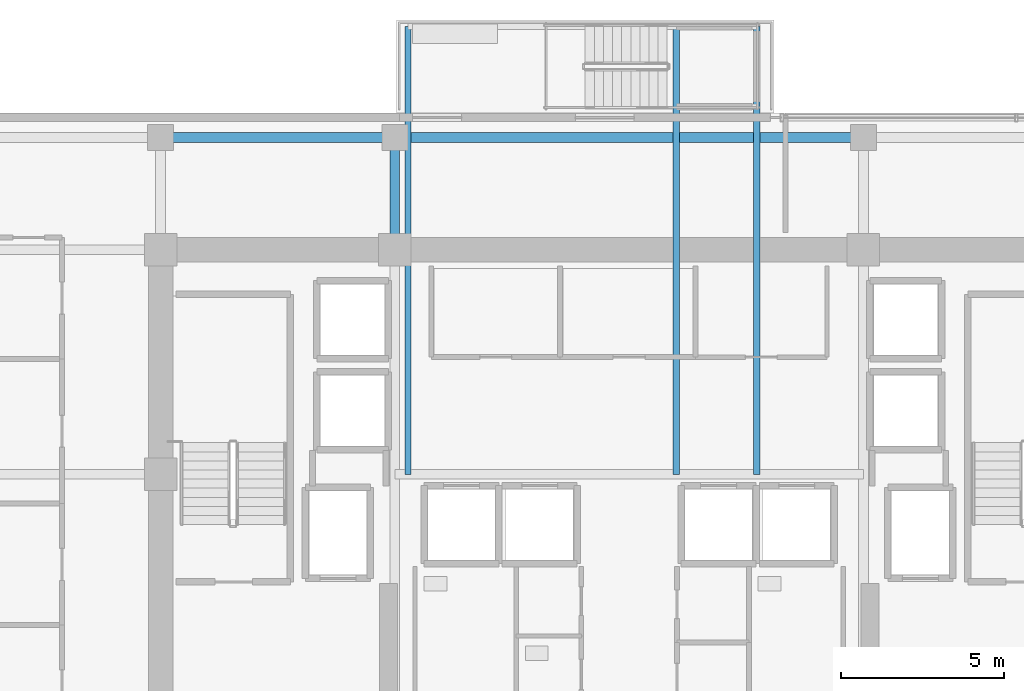
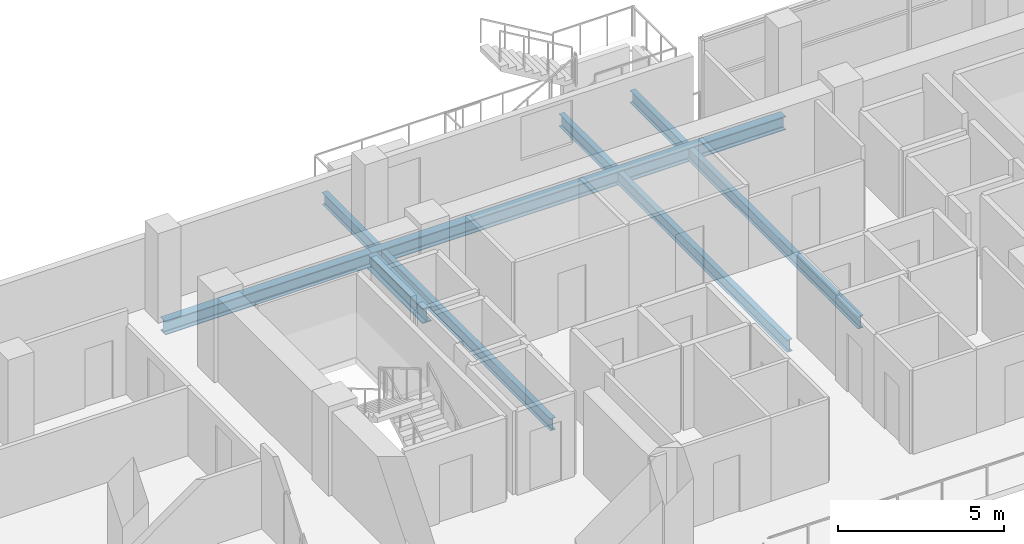
# One storey, part 13 of 27: 6 beams.
"""IFC4 building model written with IfcOpenShell, lengths in metres."""

from ifc_helpers import new_model, si_unit, direction, frame, origin, origin_2d, place, context, subcontext, project, spatial, i_section, extrude, material, material_profile, profile_set, type_object, element, save


model = new_model("IFC4")

# Units and contexts
model_context = context("Model", 3, precision=1e-05, world=origin(), true_north=direction((0.0, 1.0)))
body_context = subcontext(model_context, "Body", "Model", "MODEL_VIEW")
ifc_project = project(units=[si_unit("LENGTHUNIT", "METRE"), si_unit("AREAUNIT", "SQUARE_METRE"), si_unit("VOLUMEUNIT", "CUBIC_METRE"), si_unit("PLANEANGLEUNIT", "RADIAN"), si_unit("MASSUNIT", "GRAM", prefix="KILO")], contexts=[model_context])

# Site, building, storey
site_placement = place(None, origin())
site = spatial("IfcSite", under=ifc_project, at=site_placement, CompositionType="ELEMENT")
building_placement = place(site_placement, origin())
building = spatial("IfcBuilding", under=site, at=building_placement, Name="Zarnakvel Exchange Tower", CompositionType="ELEMENT")
storey_placement = place(building_placement, frame((0.0, 0.0, 113.199951171875)))
storey = spatial("IfcBuildingStorey", under=building, at=storey_placement, Name="L31", CompositionType="ELEMENT", Elevation=113.199951171875)

# Beams
ifc_material = material(Name="Steel S355", Category="steel")
ifc_material_profile_1 = material_profile(ifc_material, i_section(OverallWidth=0.18994140625, OverallDepth=0.449951171875, WebThickness=0.009521484375, FlangeThickness=0.0146484375, FilletRadius=0.02099609375, at=origin_2d()))
ifc_profile_set_1 = profile_set([ifc_material_profile_1], Name="Steel S355")
beam_type_1 = type_object("IfcBeamType", Name="B-05", PredefinedType="JOIST", material=ifc_profile_set_1)
for number, where, z_axis, x_axis, name in (
    (1, (-6.800048828125, 6.60009765625, -0.474853515625), (0.0, 1.0, 0.0), (-1.0, 0.0, 0.0), "L31 Continuous North Spiral Terrace Beam W"),
    (2, (3.919921875, 6.60009765625, -0.474853515625), (0.0, 1.0, 0.0), (-1.0, 0.0, 0.0), "L31 Continuous North Spiral Terrace Beam E"),
    (3, (1.449951171875, 6.60009765625, -0.474853515625), (0.0, 1.0, 0.0), (-1.0, 0.0, 0.0), "L31 Terrace Stair Plinth Beam W"),
):
    element("IfcBeam", number, at=place(storey_placement, frame(where, z_axis=z_axis, x_axis=x_axis)), inside=storey, type_object=beam_type_1, Name=name, PredefinedType="JOIST", context=body_context, shape_type="SweptSolid", body=[
        extrude(i_section(OverallWidth=0.18994140625, OverallDepth=0.449951171875, WebThickness=0.009521484375, FlangeThickness=0.0146484375, FilletRadius=0.02099609375, at=origin_2d()), origin(), (0.0, 0.0, 1.0), 13.760009765625),
    ])
ifc_material_profile_2 = material_profile(ifc_material, i_section(OverallWidth=0.300048828125, OverallDepth=0.550048828125, WebThickness=0.014892578125, FlangeThickness=0.029052734375, FilletRadius=0.027099609375, at=origin_2d()))
ifc_profile_set_2 = profile_set([ifc_material_profile_2], Name="Steel S355")
beam_type_2 = type_object("IfcBeamType", Name="G-05", PredefinedType="BEAM", material=ifc_profile_set_2)
beam_1_placement = place(storey_placement, frame((-7.199951171875, 13.5, -0.5), z_axis=(0.0, 1.0, 0.0), x_axis=(-1.0, 0.0, 0.0)))
element("IfcBeam", 4, at=beam_1_placement, inside=storey, type_object=beam_type_2, Name="L31 Tower N-S Frame Beam", PredefinedType="BEAM", context=body_context, shape_type="SweptSolid", body=[
    extrude(i_section(OverallWidth=0.300048828125, OverallDepth=0.550048828125, WebThickness=0.014892578125, FlangeThickness=0.029052734375, FilletRadius=0.027099609375, at=origin_2d()), origin(), (0.0, 0.0, 1.0), 3.449951171875),
])
ifc_material_profile_3 = material_profile(ifc_material, i_section(OverallWidth=0.300048828125, OverallDepth=0.5, WebThickness=0.014404296875, FlangeThickness=0.028076171875, FilletRadius=0.027099609375, at=origin_2d()))
ifc_profile_set_3 = profile_set([ifc_material_profile_3], Name="Steel S355")
beam_type_3 = type_object("IfcBeamType", Name="SP-02", PredefinedType="SPANDREL", material=ifc_profile_set_3)
beam_2_placement = place(storey_placement, frame((-14.39990234375, 16.949951171875, -0.474853515625), z_axis=(1.0, 0.0, 0.0), x_axis=(0.0, 1.0, 0.0)))
element("IfcBeam", 5, at=beam_2_placement, inside=storey, type_object=beam_type_3, Name="L31 Tower E-W Frame Beam", PredefinedType="SPANDREL", context=body_context, shape_type="SweptSolid", body=[
    extrude(i_section(OverallWidth=0.300048828125, OverallDepth=0.5, WebThickness=0.014404296875, FlangeThickness=0.028076171875, FilletRadius=0.027099609375, at=origin_2d()), origin(), (0.0, 0.0, 1.0), 7.199951171875),
])
beam_3_placement = place(storey_placement, frame((-7.199951171875, 16.949951171875, -0.474853515625), z_axis=(1.0, 0.0, 0.0), x_axis=(0.0, 1.0, 0.0)))
element("IfcBeam", 6, at=beam_3_placement, inside=storey, type_object=beam_type_3, Name="L31 Tower E-W Frame Beam", PredefinedType="SPANDREL", context=body_context, shape_type="SweptSolid", body=[
    extrude(i_section(OverallWidth=0.300048828125, OverallDepth=0.5, WebThickness=0.014404296875, FlangeThickness=0.028076171875, FilletRadius=0.027099609375, at=origin_2d()), origin(), (0.0, 0.0, 1.0), 14.39990234375),
])

save(model, "model.ifc")
